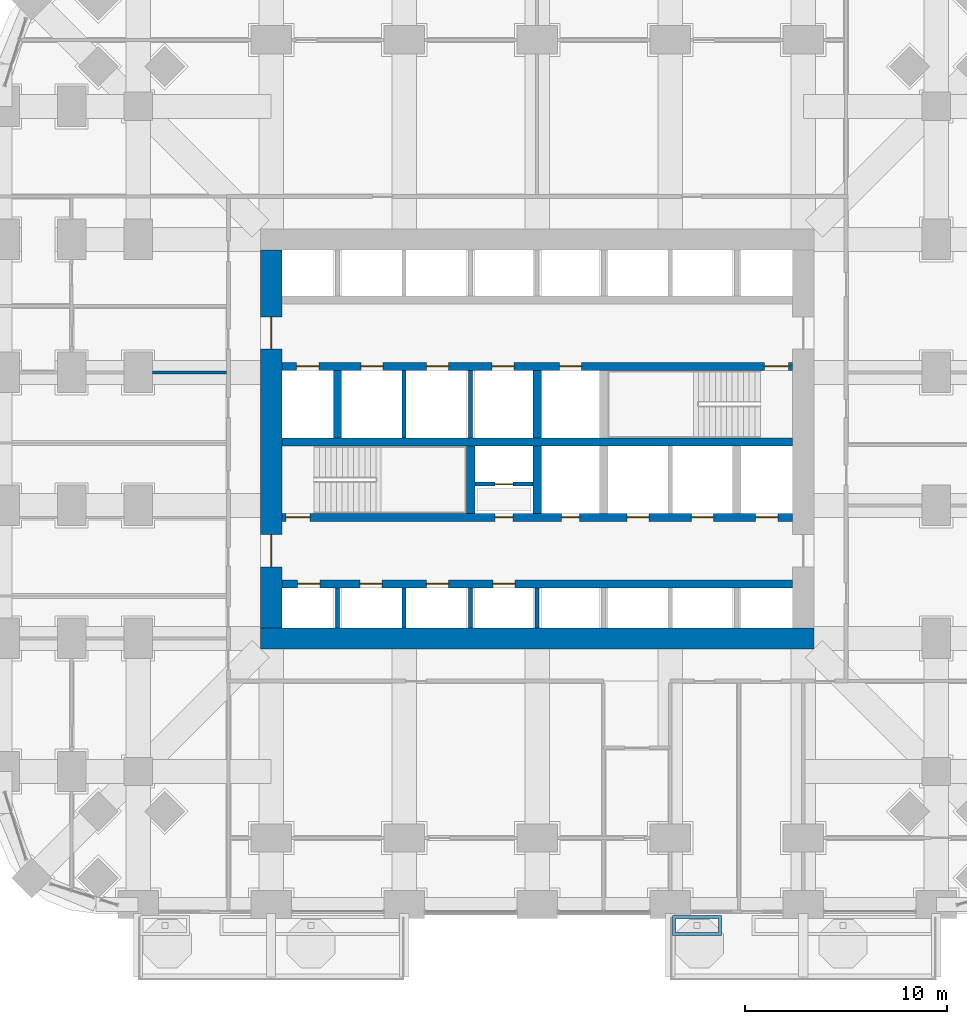
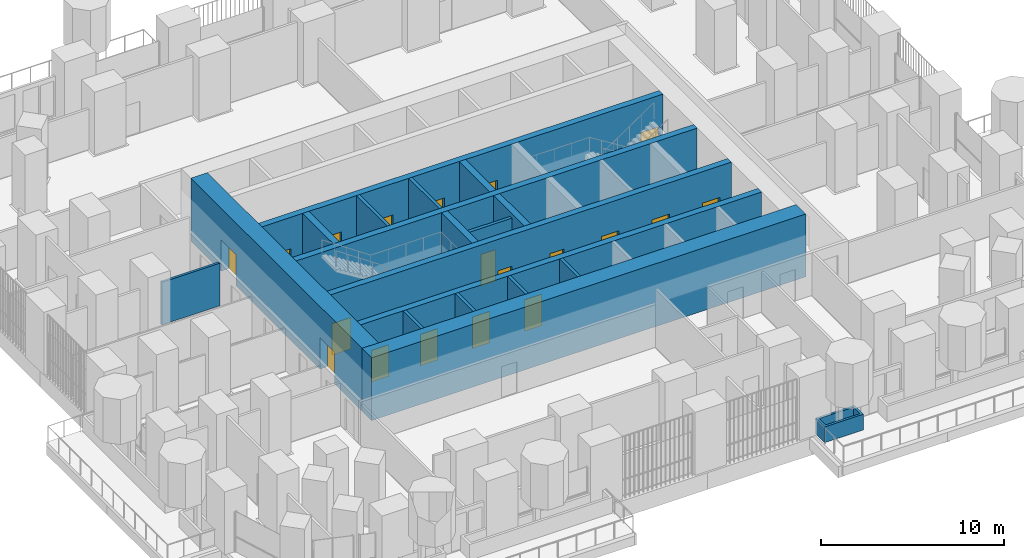
# One storey, part 17 of 25: 19 doors, 19 walls, 19 openings.
"""IFC4 building model written with IfcOpenShell, lengths in metres."""

from ifc_helpers import new_model, si_unit, direction, frame, frame_2d, origin, place, context, subcontext, project, spatial, polyline, rectangle, outline, extrude, material, layer, layer_set, type_object, element, fill, save


model = new_model("IFC4")

# Units and contexts
model_context = context("Model", 3, precision=1e-05, world=origin(), true_north=direction((0.0, 1.0)))
body_context = subcontext(model_context, "Body", "Model", "MODEL_VIEW")
ifc_project = project(units=[si_unit("LENGTHUNIT", "METRE"), si_unit("AREAUNIT", "SQUARE_METRE"), si_unit("VOLUMEUNIT", "CUBIC_METRE"), si_unit("PLANEANGLEUNIT", "RADIAN"), si_unit("MASSUNIT", "GRAM", prefix="KILO")], contexts=[model_context])

# Site, building, storey
site_placement = place(None, origin())
site = spatial("IfcSite", under=ifc_project, at=site_placement, CompositionType="ELEMENT")
building_placement = place(site_placement, origin())
building = spatial("IfcBuilding", under=site, at=building_placement, Name="Cobogo Forest Laboratory Tower", CompositionType="ELEMENT")
storey_placement = place(building_placement, frame((0.0, 0.0, 21.300048828125)))
storey = spatial("IfcBuildingStorey", under=building, at=storey_placement, Name="L04", CompositionType="ELEMENT", Elevation=21.300048828125)

# Wall, openings, doors
ifc_material_1 = material(Name="Concrete HA-50 (C50/60)", Category="concrete")
ifc_layer_1 = layer(ifc_material_1, 0.39990234375)
ifc_layer_set_1 = layer_set([ifc_layer_1], Name="CI400 core inner wall 400")
wall_type_1 = type_object("IfcWallType", Name="CI400 core inner wall 400", PredefinedType="SHEAR", material=ifc_layer_set_1)
wall_1_placement = place(storey_placement, frame((13.72509765625, 15.89990234375, 0.0), z_axis=(0.0, 0.0, 1.0), x_axis=(1.0, 0.0, 0.0)))
wall_1 = element("IfcWall", 1, at=wall_1_placement, inside=storey, type_object=wall_type_1, Name="Core wall CI-15.9 L04", PredefinedType="SHEAR", context=body_context, shape_type="SweptSolid", body=[
    extrude(rectangle(XDim=25.349853515625, YDim=0.39990234375, at=frame_2d((12.6748046875, 0.0))), origin(), (0.0, 0.0, 1.0), 4.199951171875),
])
opening_1_placement = place(wall_1_placement, frame((0.78759765625, 0.0, 0.0)))
opening_1 = element("IfcOpeningElement", 2, at=opening_1_placement, cuts=wall_1, Name="Opening L04-LD-LA1", PredefinedType="OPENING", context=body_context, shape_type="SweptSolid", body=[
    extrude(rectangle(XDim=1.10009765625, YDim=2.10009765625, at=frame_2d((0.550048828125, 1.050048828125))), frame((0.0, 0.2099609375, 0.0), z_axis=(0.0, -1.0, 0.0), x_axis=(1.0, 0.0, 0.0)), (0.0, 0.0, 1.0), 0.419921875),
])
opening_2_placement = place(wall_1_placement, frame((3.875, 0.0, 0.0)))
opening_2 = element("IfcOpeningElement", 3, at=opening_2_placement, cuts=wall_1, Name="Opening L04-LD-LA2", PredefinedType="OPENING", context=body_context, shape_type="SweptSolid", body=[
    extrude(rectangle(XDim=1.10009765625, YDim=2.10009765625, at=frame_2d((0.550048828125, 1.050048828125))), frame((0.0, 0.2099609375, 0.0), z_axis=(0.0, -1.0, 0.0), x_axis=(1.0, 0.0, 0.0)), (0.0, 0.0, 1.0), 0.419921875),
])
opening_3_placement = place(wall_1_placement, frame((7.175048828125, 0.0, 0.0)))
opening_3 = element("IfcOpeningElement", 4, at=opening_3_placement, cuts=wall_1, Name="Opening L04-LD-LA3", PredefinedType="OPENING", context=body_context, shape_type="SweptSolid", body=[
    extrude(rectangle(XDim=1.10009765625, YDim=2.10009765625, at=frame_2d((0.550048828125, 1.050048828125))), frame((0.0, 0.2099609375, 0.0), z_axis=(0.0, -1.0, 0.0), x_axis=(1.0, 0.0, 0.0)), (0.0, 0.0, 1.0), 0.419921875),
])
opening_4_placement = place(wall_1_placement, frame((10.47509765625, 0.0, 0.0)))
opening_4 = element("IfcOpeningElement", 5, at=opening_4_placement, cuts=wall_1, Name="Opening L04-LD-LA4", PredefinedType="OPENING", context=body_context, shape_type="SweptSolid", body=[
    extrude(rectangle(XDim=1.10009765625, YDim=2.10009765625, at=frame_2d((0.550048828125, 1.050048828125))), frame((0.0, 0.2099609375, 0.0), z_axis=(0.0, -1.0, 0.0), x_axis=(1.0, 0.0, 0.0)), (0.0, 0.0, 1.0), 0.419921875),
])
ifc_material_2 = material(Name="Stainless steel lift door", Category="steel")
door_type_1 = type_object("IfcDoorType", Name="LD lift landing door 1100", OperationType="DOUBLE_DOOR_SLIDING", PredefinedType="DOOR", material=ifc_material_2)
door_1_placement = place(opening_1_placement, origin())
door_1 = element("IfcDoor", 6, at=door_1_placement, inside=storey, type_object=door_type_1, Name="Lift landing door LA1 L04", OperationType="DOUBLE_DOOR_SLIDING", OverallHeight=2.10009765625, OverallWidth=1.10009765625, PredefinedType="DOOR", context=body_context, shape_type="SweptSolid", body=[
    extrude(rectangle(XDim=1.10009765625, YDim=2.10009765625, at=frame_2d((0.550048828125, 1.050048828125))), frame((0.0, 0.02490234375, 0.0), z_axis=(0.0, -1.0, 0.0), x_axis=(1.0, 0.0, 0.0)), (0.0, 0.0, 1.0), 0.050048828125),
])
fill(opening_1, door_1)
door_2_placement = place(opening_2_placement, origin())
door_2 = element("IfcDoor", 7, at=door_2_placement, inside=storey, type_object=door_type_1, Name="Lift landing door LA2 L04", OperationType="DOUBLE_DOOR_SLIDING", OverallHeight=2.10009765625, OverallWidth=1.10009765625, PredefinedType="DOOR", context=body_context, shape_type="SweptSolid", body=[
    extrude(rectangle(XDim=1.10009765625, YDim=2.10009765625, at=frame_2d((0.550048828125, 1.050048828125))), frame((0.0, 0.02490234375, 0.0), z_axis=(0.0, -1.0, 0.0), x_axis=(1.0, 0.0, 0.0)), (0.0, 0.0, 1.0), 0.050048828125),
])
fill(opening_2, door_2)
door_3_placement = place(opening_3_placement, origin())
door_3 = element("IfcDoor", 8, at=door_3_placement, inside=storey, type_object=door_type_1, Name="Lift landing door LA3 L04", OperationType="DOUBLE_DOOR_SLIDING", OverallHeight=2.10009765625, OverallWidth=1.10009765625, PredefinedType="DOOR", context=body_context, shape_type="SweptSolid", body=[
    extrude(rectangle(XDim=1.10009765625, YDim=2.10009765625, at=frame_2d((0.550048828125, 1.050048828125))), frame((0.0, 0.02490234375, 0.0), z_axis=(0.0, -1.0, 0.0), x_axis=(1.0, 0.0, 0.0)), (0.0, 0.0, 1.0), 0.050048828125),
])
fill(opening_3, door_3)
door_4_placement = place(opening_4_placement, origin())
door_4 = element("IfcDoor", 9, at=door_4_placement, inside=storey, type_object=door_type_1, Name="Lift landing door LA4 L04", OperationType="DOUBLE_DOOR_SLIDING", OverallHeight=2.10009765625, OverallWidth=1.10009765625, PredefinedType="DOOR", context=body_context, shape_type="SweptSolid", body=[
    extrude(rectangle(XDim=1.10009765625, YDim=2.10009765625, at=frame_2d((0.550048828125, 1.050048828125))), frame((0.0, 0.02490234375, 0.0), z_axis=(0.0, -1.0, 0.0), x_axis=(1.0, 0.0, 0.0)), (0.0, 0.0, 1.0), 0.050048828125),
])
fill(opening_4, door_4)

wall_2_placement = place(storey_placement, frame((13.72509765625, 19.199951171875, 0.0), z_axis=(0.0, 0.0, 1.0), x_axis=(1.0, 0.0, 0.0)))
wall_2 = element("IfcWall", 10, at=wall_2_placement, inside=storey, type_object=wall_type_1, Name="Core wall CI-19.2 L04", PredefinedType="SHEAR", context=body_context, shape_type="SweptSolid", body=[
    extrude(rectangle(XDim=25.349853515625, YDim=0.39990234375, at=frame_2d((12.6748046875, 0.0))), origin(), (0.0, 0.0, 1.0), 4.199951171875),
])
opening_5_placement = place(wall_2_placement, frame((10.574951171875, 0.0, 0.0)))
opening_5 = element("IfcOpeningElement", 11, at=opening_5_placement, cuts=wall_2, Name="Opening L04-D22", PredefinedType="OPENING", context=body_context, shape_type="SweptSolid", body=[
    extrude(rectangle(XDim=0.89990234375, YDim=2.10009765625, at=frame_2d((0.449951171875, 1.050048828125))), frame((0.0, 0.2099609375, 0.0), z_axis=(0.0, -1.0, 0.0), x_axis=(1.0, 0.0, 0.0)), (0.0, 0.0, 1.0), 0.419921875),
])
opening_6_placement = place(wall_2_placement, frame((13.875, 0.0, 0.0)))
opening_6 = element("IfcOpeningElement", 12, at=opening_6_placement, cuts=wall_2, Name="Opening L04-D23", PredefinedType="OPENING", context=body_context, shape_type="SweptSolid", body=[
    extrude(rectangle(XDim=0.89990234375, YDim=2.10009765625, at=frame_2d((0.449951171875, 1.050048828125))), frame((0.0, 0.2099609375, 0.0), z_axis=(0.0, -1.0, 0.0), x_axis=(1.0, 0.0, 0.0)), (0.0, 0.0, 1.0), 0.419921875),
])
opening_7_placement = place(wall_2_placement, frame((0.199951171875, 0.0, 0.0)))
opening_7 = element("IfcOpeningElement", 13, at=opening_7_placement, cuts=wall_2, Name="Opening L04-D21", PredefinedType="OPENING", context=body_context, shape_type="SweptSolid", body=[
    extrude(rectangle(XDim=1.199951171875, YDim=2.10009765625, at=frame_2d((0.60009765625, 1.050048828125))), frame((0.0, 0.2099609375, 0.0), z_axis=(0.0, -1.0, 0.0), x_axis=(1.0, 0.0, 0.0)), (0.0, 0.0, 1.0), 0.419921875),
])
opening_8_placement = place(wall_2_placement, frame((23.512451171875, 0.0, 0.0)))
opening_8 = element("IfcOpeningElement", 14, at=opening_8_placement, cuts=wall_2, Name="Opening L04-LD-FL2", PredefinedType="OPENING", context=body_context, shape_type="SweptSolid", body=[
    extrude(rectangle(XDim=1.10009765625, YDim=2.10009765625, at=frame_2d((0.550048828125, 1.050048828125))), frame((0.0, 0.2099609375, 0.0), z_axis=(0.0, -1.0, 0.0), x_axis=(1.0, 0.0, 0.0)), (0.0, 0.0, 1.0), 0.419921875),
])
opening_9_placement = place(wall_2_placement, frame((17.125, 0.0, 0.0)))
opening_9 = element("IfcOpeningElement", 15, at=opening_9_placement, cuts=wall_2, Name="Opening L04-LD-LS1", PredefinedType="OPENING", context=body_context, shape_type="SweptSolid", body=[
    extrude(rectangle(XDim=1.10009765625, YDim=2.10009765625, at=frame_2d((0.550048828125, 1.050048828125))), frame((0.0, 0.2099609375, 0.0), z_axis=(0.0, -1.0, 0.0), x_axis=(1.0, 0.0, 0.0)), (0.0, 0.0, 1.0), 0.419921875),
])
opening_10_placement = place(wall_2_placement, frame((20.324951171875, 0.0, 0.0)))
opening_10 = element("IfcOpeningElement", 16, at=opening_10_placement, cuts=wall_2, Name="Opening L04-LD-LS2", PredefinedType="OPENING", context=body_context, shape_type="SweptSolid", body=[
    extrude(rectangle(XDim=1.10009765625, YDim=2.10009765625, at=frame_2d((0.550048828125, 1.050048828125))), frame((0.0, 0.2099609375, 0.0), z_axis=(0.0, -1.0, 0.0), x_axis=(1.0, 0.0, 0.0)), (0.0, 0.0, 1.0), 0.419921875),
])
ifc_material_3 = material(Name="Steel fire door", Category="steel")
door_type_2 = type_object("IfcDoorType", Name="DS1 protected stair door 1200 EI2 60", OperationType="SINGLE_SWING_LEFT", PredefinedType="DOOR", material=ifc_material_3)
door_5_placement = place(opening_7_placement, origin())
door_5 = element("IfcDoor", 17, at=door_5_placement, inside=storey, type_object=door_type_2, Name="Door L04-ST1", OperationType="SINGLE_SWING_LEFT", OverallHeight=2.10009765625, OverallWidth=1.199951171875, PredefinedType="DOOR", context=body_context, shape_type="SweptSolid", body=[
    extrude(rectangle(XDim=1.199951171875, YDim=2.10009765625, at=frame_2d((0.60009765625, 1.050048828125))), frame((0.0, 0.02490234375, 0.0), z_axis=(0.0, -1.0, 0.0), x_axis=(1.0, 0.0, 0.0)), (0.0, 0.0, 1.0), 0.050048828125),
])
fill(opening_7, door_5)
door_type_3 = type_object("IfcDoorType", Name="FD4 riser access door 900 EI2 60", OperationType="SINGLE_SWING_LEFT", PredefinedType="DOOR", material=ifc_material_3)
door_6_placement = place(opening_5_placement, origin())
door_6 = element("IfcDoor", 18, at=door_6_placement, inside=storey, type_object=door_type_3, Name="Door L04-R1V", OperationType="SINGLE_SWING_LEFT", OverallHeight=2.10009765625, OverallWidth=0.89990234375, PredefinedType="DOOR", context=body_context, shape_type="SweptSolid", body=[
    extrude(rectangle(XDim=0.89990234375, YDim=2.10009765625, at=frame_2d((0.449951171875, 1.050048828125))), frame((0.0, 0.02490234375, 0.0), z_axis=(0.0, -1.0, 0.0), x_axis=(1.0, 0.0, 0.0)), (0.0, 0.0, 1.0), 0.050048828125),
])
fill(opening_5, door_6)
door_7_placement = place(opening_6_placement, origin())
door_7 = element("IfcDoor", 19, at=door_7_placement, inside=storey, type_object=door_type_3, Name="Door L04-R2", OperationType="SINGLE_SWING_RIGHT", OverallHeight=2.10009765625, OverallWidth=0.89990234375, PredefinedType="DOOR", context=body_context, shape_type="SweptSolid", body=[
    extrude(rectangle(XDim=0.89990234375, YDim=2.10009765625, at=frame_2d((0.449951171875, 1.050048828125))), frame((0.0, 0.02490234375, 0.0), z_axis=(0.0, -1.0, 0.0), x_axis=(1.0, 0.0, 0.0)), (0.0, 0.0, 1.0), 0.050048828125),
])
fill(opening_6, door_7)
door_8_placement = place(opening_8_placement, origin())
door_8 = element("IfcDoor", 20, at=door_8_placement, inside=storey, type_object=door_type_1, Name="Lift landing door FL2 L04", OperationType="DOUBLE_DOOR_SLIDING", OverallHeight=2.10009765625, OverallWidth=1.10009765625, PredefinedType="DOOR", context=body_context, shape_type="SweptSolid", body=[
    extrude(rectangle(XDim=1.10009765625, YDim=2.10009765625, at=frame_2d((0.550048828125, 1.050048828125))), frame((0.0, 0.02490234375, 0.0), z_axis=(0.0, -1.0, 0.0), x_axis=(1.0, 0.0, 0.0)), (0.0, 0.0, 1.0), 0.050048828125),
])
fill(opening_8, door_8)
door_9_placement = place(opening_9_placement, origin())
door_9 = element("IfcDoor", 21, at=door_9_placement, inside=storey, type_object=door_type_1, Name="Lift landing door LS1 L04", OperationType="DOUBLE_DOOR_SLIDING", OverallHeight=2.10009765625, OverallWidth=1.10009765625, PredefinedType="DOOR", context=body_context, shape_type="SweptSolid", body=[
    extrude(rectangle(XDim=1.10009765625, YDim=2.10009765625, at=frame_2d((0.550048828125, 1.050048828125))), frame((0.0, 0.02490234375, 0.0), z_axis=(0.0, -1.0, 0.0), x_axis=(1.0, 0.0, 0.0)), (0.0, 0.0, 1.0), 0.050048828125),
])
fill(opening_9, door_9)
door_10_placement = place(opening_10_placement, origin())
door_10 = element("IfcDoor", 22, at=door_10_placement, inside=storey, type_object=door_type_1, Name="Lift landing door LS2 L04", OperationType="DOUBLE_DOOR_SLIDING", OverallHeight=2.10009765625, OverallWidth=1.10009765625, PredefinedType="DOOR", context=body_context, shape_type="SweptSolid", body=[
    extrude(rectangle(XDim=1.10009765625, YDim=2.10009765625, at=frame_2d((0.550048828125, 1.050048828125))), frame((0.0, 0.02490234375, 0.0), z_axis=(0.0, -1.0, 0.0), x_axis=(1.0, 0.0, 0.0)), (0.0, 0.0, 1.0), 0.050048828125),
])
fill(opening_10, door_10)

# Wall
wall_3_placement = place(storey_placement, frame((13.72509765625, 22.949951171875, 0.0), z_axis=(0.0, 0.0, 1.0), x_axis=(1.0, 0.0, 0.0)))
element("IfcWall", 23, at=wall_3_placement, inside=storey, type_object=wall_type_1, Name="Core wall CI-22.95 L04", PredefinedType="SHEAR", context=body_context, shape_type="SweptSolid", body=[
    extrude(rectangle(XDim=25.349853515625, YDim=0.39990234375, at=frame_2d((12.6748046875, 0.0))), origin(), (0.0, 0.0, 1.0), 4.199951171875),
])

# Wall, openings, doors
wall_4_placement = place(storey_placement, frame((13.72509765625, 26.699951171875, 0.0), z_axis=(0.0, 0.0, 1.0), x_axis=(1.0, 0.0, 0.0)))
wall_4 = element("IfcWall", 24, at=wall_4_placement, inside=storey, type_object=wall_type_1, Name="Core wall CI-26.7 L04", PredefinedType="SHEAR", context=body_context, shape_type="SweptSolid", body=[
    extrude(rectangle(XDim=25.349853515625, YDim=0.39990234375, at=frame_2d((12.6748046875, 0.0))), origin(), (0.0, 0.0, 1.0), 4.199951171875),
])
opening_11_placement = place(wall_4_placement, frame((23.949951171875, 0.0, 0.0)))
opening_11 = element("IfcOpeningElement", 25, at=opening_11_placement, cuts=wall_4, Name="Opening L04-D29", PredefinedType="OPENING", context=body_context, shape_type="SweptSolid", body=[
    extrude(rectangle(XDim=1.199951171875, YDim=2.10009765625, at=frame_2d((0.60009765625, 1.050048828125))), frame((0.0, 0.2099609375, 0.0), z_axis=(0.0, -1.0, 0.0), x_axis=(1.0, 0.0, 0.0)), (0.0, 0.0, 1.0), 0.419921875),
])
opening_12_placement = place(wall_4_placement, frame((0.737548828125, 0.0, 0.0)))
opening_12 = element("IfcOpeningElement", 26, at=opening_12_placement, cuts=wall_4, Name="Opening L04-LD-FL1", PredefinedType="OPENING", context=body_context, shape_type="SweptSolid", body=[
    extrude(rectangle(XDim=1.10009765625, YDim=2.10009765625, at=frame_2d((0.550048828125, 1.050048828125))), frame((0.0, 0.2099609375, 0.0), z_axis=(0.0, -1.0, 0.0), x_axis=(1.0, 0.0, 0.0)), (0.0, 0.0, 1.0), 0.419921875),
])
opening_13_placement = place(wall_4_placement, frame((3.925048828125, 0.0, 0.0)))
opening_13 = element("IfcOpeningElement", 27, at=opening_13_placement, cuts=wall_4, Name="Opening L04-LD-LS3", PredefinedType="OPENING", context=body_context, shape_type="SweptSolid", body=[
    extrude(rectangle(XDim=1.10009765625, YDim=2.10009765625, at=frame_2d((0.550048828125, 1.050048828125))), frame((0.0, 0.2099609375, 0.0), z_axis=(0.0, -1.0, 0.0), x_axis=(1.0, 0.0, 0.0)), (0.0, 0.0, 1.0), 0.419921875),
])
opening_14_placement = place(wall_4_placement, frame((7.175048828125, 0.0, 0.0)))
opening_14 = element("IfcOpeningElement", 28, at=opening_14_placement, cuts=wall_4, Name="Opening L04-LD-LS4", PredefinedType="OPENING", context=body_context, shape_type="SweptSolid", body=[
    extrude(rectangle(XDim=1.10009765625, YDim=2.10009765625, at=frame_2d((0.550048828125, 1.050048828125))), frame((0.0, 0.2099609375, 0.0), z_axis=(0.0, -1.0, 0.0), x_axis=(1.0, 0.0, 0.0)), (0.0, 0.0, 1.0), 0.419921875),
])
opening_15_placement = place(wall_4_placement, frame((10.425048828125, 0.0, 0.0)))
opening_15 = element("IfcOpeningElement", 29, at=opening_15_placement, cuts=wall_4, Name="Opening L04-LD-LS5", PredefinedType="OPENING", context=body_context, shape_type="SweptSolid", body=[
    extrude(rectangle(XDim=1.10009765625, YDim=2.10009765625, at=frame_2d((0.550048828125, 1.050048828125))), frame((0.0, 0.2099609375, 0.0), z_axis=(0.0, -1.0, 0.0), x_axis=(1.0, 0.0, 0.0)), (0.0, 0.0, 1.0), 0.419921875),
])
opening_16_placement = place(wall_4_placement, frame((13.77490234375, 0.0, 0.0)))
opening_16 = element("IfcOpeningElement", 30, at=opening_16_placement, cuts=wall_4, Name="Opening L04-LD-LS6", PredefinedType="OPENING", context=body_context, shape_type="SweptSolid", body=[
    extrude(rectangle(XDim=1.10009765625, YDim=2.10009765625, at=frame_2d((0.550048828125, 1.050048828125))), frame((0.0, 0.2099609375, 0.0), z_axis=(0.0, -1.0, 0.0), x_axis=(1.0, 0.0, 0.0)), (0.0, 0.0, 1.0), 0.419921875),
])
door_11_placement = place(opening_11_placement, origin())
door_11 = element("IfcDoor", 31, at=door_11_placement, inside=storey, type_object=door_type_2, Name="Door L04-ST2", OperationType="SINGLE_SWING_RIGHT", OverallHeight=2.10009765625, OverallWidth=1.199951171875, PredefinedType="DOOR", context=body_context, shape_type="SweptSolid", body=[
    extrude(rectangle(XDim=1.199951171875, YDim=2.10009765625, at=frame_2d((0.60009765625, 1.050048828125))), frame((0.0, 0.02490234375, 0.0), z_axis=(0.0, -1.0, 0.0), x_axis=(1.0, 0.0, 0.0)), (0.0, 0.0, 1.0), 0.050048828125),
])
fill(opening_11, door_11)
door_12_placement = place(opening_12_placement, origin())
door_12 = element("IfcDoor", 32, at=door_12_placement, inside=storey, type_object=door_type_1, Name="Lift landing door FL1 L04", OperationType="DOUBLE_DOOR_SLIDING", OverallHeight=2.10009765625, OverallWidth=1.10009765625, PredefinedType="DOOR", context=body_context, shape_type="SweptSolid", body=[
    extrude(rectangle(XDim=1.10009765625, YDim=2.10009765625, at=frame_2d((0.550048828125, 1.050048828125))), frame((0.0, 0.02490234375, 0.0), z_axis=(0.0, -1.0, 0.0), x_axis=(1.0, 0.0, 0.0)), (0.0, 0.0, 1.0), 0.050048828125),
])
fill(opening_12, door_12)
door_13_placement = place(opening_13_placement, origin())
door_13 = element("IfcDoor", 33, at=door_13_placement, inside=storey, type_object=door_type_1, Name="Lift landing door LS3 L04", OperationType="DOUBLE_DOOR_SLIDING", OverallHeight=2.10009765625, OverallWidth=1.10009765625, PredefinedType="DOOR", context=body_context, shape_type="SweptSolid", body=[
    extrude(rectangle(XDim=1.10009765625, YDim=2.10009765625, at=frame_2d((0.550048828125, 1.050048828125))), frame((0.0, 0.02490234375, 0.0), z_axis=(0.0, -1.0, 0.0), x_axis=(1.0, 0.0, 0.0)), (0.0, 0.0, 1.0), 0.050048828125),
])
fill(opening_13, door_13)
door_14_placement = place(opening_14_placement, origin())
door_14 = element("IfcDoor", 34, at=door_14_placement, inside=storey, type_object=door_type_1, Name="Lift landing door LS4 L04", OperationType="DOUBLE_DOOR_SLIDING", OverallHeight=2.10009765625, OverallWidth=1.10009765625, PredefinedType="DOOR", context=body_context, shape_type="SweptSolid", body=[
    extrude(rectangle(XDim=1.10009765625, YDim=2.10009765625, at=frame_2d((0.550048828125, 1.050048828125))), frame((0.0, 0.02490234375, 0.0), z_axis=(0.0, -1.0, 0.0), x_axis=(1.0, 0.0, 0.0)), (0.0, 0.0, 1.0), 0.050048828125),
])
fill(opening_14, door_14)
door_15_placement = place(opening_15_placement, origin())
door_15 = element("IfcDoor", 35, at=door_15_placement, inside=storey, type_object=door_type_1, Name="Lift landing door LS5 L04", OperationType="DOUBLE_DOOR_SLIDING", OverallHeight=2.10009765625, OverallWidth=1.10009765625, PredefinedType="DOOR", context=body_context, shape_type="SweptSolid", body=[
    extrude(rectangle(XDim=1.10009765625, YDim=2.10009765625, at=frame_2d((0.550048828125, 1.050048828125))), frame((0.0, 0.02490234375, 0.0), z_axis=(0.0, -1.0, 0.0), x_axis=(1.0, 0.0, 0.0)), (0.0, 0.0, 1.0), 0.050048828125),
])
fill(opening_15, door_15)
door_16_placement = place(opening_16_placement, origin())
door_16 = element("IfcDoor", 36, at=door_16_placement, inside=storey, type_object=door_type_1, Name="Lift landing door LS6 L04", OperationType="DOUBLE_DOOR_SLIDING", OverallHeight=2.10009765625, OverallWidth=1.10009765625, PredefinedType="DOOR", context=body_context, shape_type="SweptSolid", body=[
    extrude(rectangle(XDim=1.10009765625, YDim=2.10009765625, at=frame_2d((0.550048828125, 1.050048828125))), frame((0.0, 0.02490234375, 0.0), z_axis=(0.0, -1.0, 0.0), x_axis=(1.0, 0.0, 0.0)), (0.0, 0.0, 1.0), 0.050048828125),
])
fill(opening_16, door_16)

# Walls
for number, where, z_axis, x_axis, name in (
    (37, (23.10009765625, 19.39990234375, 0.0), (0.0, 0.0, 1.0), (0.0, 1.0, 0.0), "Core wall CX-23.1 L04"),
    (38, (26.39990234375, 19.39990234375, 0.0), (0.0, 0.0, 1.0), (0.0, 1.0, 0.0), "Core wall CX-26.4S L04"),
    (39, (16.5, 23.14990234375, 0.0), (0.0, 0.0, 1.0), (0.0, 1.0, 0.0), "Core wall CX-16.5 L04"),
    (40, (26.39990234375, 23.14990234375, 0.0), (0.0, 0.0, 1.0), (0.0, 1.0, 0.0), "Core wall CX-26.4N L04"),
):
    element("IfcWall", number, at=place(storey_placement, frame(where, z_axis=z_axis, x_axis=x_axis)), inside=storey, type_object=wall_type_1, Name=name, PredefinedType="SHEAR", context=body_context, shape_type="SweptSolid", body=[
        extrude(rectangle(XDim=3.35009765625, YDim=0.39990234375, at=frame_2d((1.675048828125, 0.0))), origin(), (0.0, 0.0, 1.0), 4.199951171875),
    ])
ifc_layer_2 = layer(ifc_material_1, 1.050048828125)
ifc_layer_set_2 = layer_set([ifc_layer_2], Name="CW1050 core outer wall 1050")
wall_type_2 = type_object("IfcWallType", Name="CW1050 core outer wall 1050", PredefinedType="SHEAR", material=ifc_layer_set_2)
wall_5_placement = place(storey_placement, frame((12.675048828125, 13.199951171875, 0.0), z_axis=(0.0, 0.0, 1.0), x_axis=(1.0, 0.0, 0.0)))
element("IfcWall", 41, at=wall_5_placement, inside=storey, type_object=wall_type_2, Name="Core wall CO-S L04", PredefinedType="SHEAR", context=body_context, shape_type="SweptSolid", body=[
    extrude(rectangle(XDim=27.449951171875, YDim=1.050048828125, at=frame_2d((13.72509765625, 0.0))), origin(), (0.0, 0.0, 1.0), 4.199951171875),
])

# Wall, openings, doors
wall_6_placement = place(storey_placement, frame((13.199951171875, 32.47509765625, 0.0), z_axis=(0.0, 0.0, 1.0), x_axis=(0.0, -1.0, 0.0)))
wall_6 = element("IfcWall", 42, at=wall_6_placement, inside=storey, type_object=wall_type_2, Name="Core wall CO-W L04", PredefinedType="SHEAR", context=body_context, shape_type="SweptSolid", body=[
    extrude(rectangle(XDim=18.75, YDim=1.050048828125, at=frame_2d((9.375, 0.0))), origin(), (0.0, 0.0, 1.0), 4.199951171875),
])
opening_17_placement = place(wall_6_placement, frame((14.125, 0.0, 0.0)))
opening_17 = element("IfcOpeningElement", 43, at=opening_17_placement, cuts=wall_6, Name="Opening L04-D19", PredefinedType="OPENING", context=body_context, shape_type="SweptSolid", body=[
    extrude(rectangle(XDim=1.60009765625, YDim=2.10009765625, at=frame_2d((0.800048828125, 1.050048828125))), frame((0.0, 0.534912109375, 0.0), z_axis=(0.0, -1.0, 0.0), x_axis=(1.0, 0.0, 0.0)), (0.0, 0.0, 1.0), 1.070068359375),
])
opening_18_placement = place(wall_6_placement, frame((3.324951171875, 0.0, 0.0)))
opening_18 = element("IfcOpeningElement", 44, at=opening_18_placement, cuts=wall_6, Name="Opening L04-D32", PredefinedType="OPENING", context=body_context, shape_type="SweptSolid", body=[
    extrude(rectangle(XDim=1.60009765625, YDim=2.10009765625, at=frame_2d((0.800048828125, 1.050048828125))), frame((0.0, 0.534912109375, 0.0), z_axis=(0.0, -1.0, 0.0), x_axis=(1.0, 0.0, 0.0)), (0.0, 0.0, 1.0), 1.070068359375),
])
door_type_4 = type_object("IfcDoorType", Name="DS2 protected lobby door pair 1600 EI2 60", OperationType="DOUBLE_DOOR_DOUBLE_SWING", PredefinedType="DOOR", material=ifc_material_3)
door_17_placement = place(opening_17_placement, origin())
door_17 = element("IfcDoor", 45, at=door_17_placement, inside=storey, type_object=door_type_4, Name="Door L04-CO-W-S", OperationType="DOUBLE_DOOR_DOUBLE_SWING", OverallHeight=2.10009765625, OverallWidth=1.60009765625, PredefinedType="DOOR", context=body_context, shape_type="SweptSolid", body=[
    extrude(rectangle(XDim=1.60009765625, YDim=2.10009765625, at=frame_2d((0.800048828125, 1.050048828125))), frame((0.0, 0.02490234375, 0.0), z_axis=(0.0, -1.0, 0.0), x_axis=(1.0, 0.0, 0.0)), (0.0, 0.0, 1.0), 0.050048828125),
])
fill(opening_17, door_17)
door_18_placement = place(opening_18_placement, origin())
door_18 = element("IfcDoor", 46, at=door_18_placement, inside=storey, type_object=door_type_4, Name="Door L04-CO-W-N", OperationType="DOUBLE_DOOR_DOUBLE_SWING", OverallHeight=2.10009765625, OverallWidth=1.60009765625, PredefinedType="DOOR", context=body_context, shape_type="SweptSolid", body=[
    extrude(rectangle(XDim=1.60009765625, YDim=2.10009765625, at=frame_2d((0.800048828125, 1.050048828125))), frame((0.0, 0.02490234375, 0.0), z_axis=(0.0, -1.0, 0.0), x_axis=(1.0, 0.0, 0.0)), (0.0, 0.0, 1.0), 0.050048828125),
])
fill(opening_18, door_18)

# Wall
ifc_material_4 = material(Name="Gypsum board on steel studs", Category="steel")
ifc_layer_3 = layer(ifc_material_4, 0.14990234375)
ifc_layer_set_3 = layer_set([ifc_layer_3], Name="PT1 laboratory partition 150")
wall_type_3 = type_object("IfcWallType", Name="PT1 laboratory partition 150", PredefinedType="PARTITIONING", material=ifc_layer_set_3)
wall_7_placement = place(storey_placement, frame((7.300048828125, 26.39990234375, 0.0), z_axis=(0.0, 0.0, 1.0), x_axis=(1.0, 0.0, 0.0)))
element("IfcWall", 47, at=wall_7_placement, inside=storey, type_object=wall_type_3, Name="Partition CUT-W26.4-3 L04", PredefinedType="PARTITIONING", context=body_context, shape_type="SweptSolid", body=[
    extrude(rectangle(XDim=3.675048828125, YDim=0.14990234375, at=frame_2d((1.83740234375, 0.0))), origin(), (0.0, 0.0, 1.0), 2.849853515625),
])

# Wall, opening, door
ifc_layer_4 = layer(ifc_material_4, 0.199951171875)
ifc_layer_set_4 = layer_set([ifc_layer_4], Name="PT2 fire-rated corridor partition 200")
wall_type_4 = type_object("IfcWallType", Name="PT2 fire-rated corridor partition 200", PredefinedType="PARTITIONING", material=ifc_layer_set_4)
wall_8_placement = place(storey_placement, frame((23.300048828125, 20.85009765625, 0.0), z_axis=(0.0, 0.0, 1.0), x_axis=(1.0, 0.0, 0.0)))
wall_8 = element("IfcWall", 48, at=wall_8_placement, inside=storey, type_object=wall_type_4, Name="Partition RSPLIT-R1 L04", PredefinedType="PARTITIONING", context=body_context, shape_type="SweptSolid", body=[
    extrude(rectangle(XDim=2.89990234375, YDim=0.199951171875, at=frame_2d((1.449951171875, 0.0))), origin(), (0.0, 0.0, 1.0), 3.89990234375),
])
opening_19_placement = place(wall_8_placement, frame((1.0, 0.0, 0.0)))
opening_19 = element("IfcOpeningElement", 49, at=opening_19_placement, cuts=wall_8, Name="Opening L04-D24", PredefinedType="OPENING", context=body_context, shape_type="SweptSolid", body=[
    extrude(rectangle(XDim=0.89990234375, YDim=2.10009765625, at=frame_2d((0.449951171875, 1.050048828125))), frame((0.0, 0.10986328125, 0.0), z_axis=(0.0, -1.0, 0.0), x_axis=(1.0, 0.0, 0.0)), (0.0, 0.0, 1.0), 0.219970703125),
])
door_19_placement = place(opening_19_placement, origin())
door_19 = element("IfcDoor", 50, at=door_19_placement, inside=storey, type_object=door_type_3, Name="Door L04-R1", OperationType="SINGLE_SWING_LEFT", OverallHeight=2.10009765625, OverallWidth=0.89990234375, PredefinedType="DOOR", context=body_context, shape_type="SweptSolid", body=[
    extrude(rectangle(XDim=0.89990234375, YDim=2.10009765625, at=frame_2d((0.449951171875, 1.050048828125))), frame((0.0, 0.02490234375, 0.0), z_axis=(0.0, -1.0, 0.0), x_axis=(1.0, 0.0, 0.0)), (0.0, 0.0, 1.0), 0.050048828125),
])
fill(opening_19, door_19)

# Walls
ifc_material_5 = material(Name="Concrete HA-40 (C40/50)", Category="concrete")
ifc_layer_5 = layer(ifc_material_5, 0.14990234375)
ifc_layer_set_5 = layer_set([ifc_layer_5], Name="Planter box 1000x1050")
wall_type_5 = type_object("IfcWallType", Name="Planter box 1000x1050", PredefinedType="USERDEFINED", material=ifc_layer_set_5)
wall_9_placement = place(storey_placement, origin())
element("IfcWall", 51, at=wall_9_placement, inside=storey, type_object=wall_type_5, Name="Planter BAL-S2-1 L04", ObjectType="PLANTER", PredefinedType="USERDEFINED", context=body_context, shape_type="SweptSolid", body=[
    extrude(outline(polyline([(33.10009765625, -1.550048828125), (35.550048828125, -1.550048828125), (35.550048828125, -0.550048828125), (33.10009765625, -0.550048828125), (33.10009765625, -1.550048828125)]), holes=[polyline([(33.25, -1.39990234375), (35.39990234375, -1.39990234375), (35.39990234375, -0.699951171875), (33.25, -0.699951171875), (33.25, -1.39990234375)])]), origin(), (0.0, 0.0, 1.0), 1.050048828125),
])
ifc_material_6 = material(Name="Concrete block", Category="concrete")
ifc_layer_6 = layer(ifc_material_6, 0.199951171875)
ifc_layer_set_6 = layer_set([ifc_layer_6], Name="SW200 lift shaft separator 200")
wall_type_6 = type_object("IfcWallType", Name="SW200 lift shaft separator 200", PredefinedType="PARTITIONING", material=ifc_layer_set_6)
for number, where, z_axis, x_axis, name in (
    (52, (16.5, 13.72509765625, 0.0), (0.0, 0.0, 1.0), (0.0, 1.0, 0.0), "Core wall SEP-S1 L04"),
    (53, (19.800048828125, 13.72509765625, 0.0), (0.0, 0.0, 1.0), (0.0, 1.0, 0.0), "Core wall SEP-S2 L04"),
    (54, (23.10009765625, 13.72509765625, 0.0), (0.0, 0.0, 1.0), (0.0, 1.0, 0.0), "Core wall SEP-S3 L04"),
    (55, (26.39990234375, 13.72509765625, 0.0), (0.0, 0.0, 1.0), (0.0, 1.0, 0.0), "Core wall SEP-S4 L04"),
):
    element("IfcWall", number, at=place(storey_placement, frame(where, z_axis=z_axis, x_axis=x_axis)), inside=storey, type_object=wall_type_6, Name=name, PredefinedType="PARTITIONING", context=body_context, shape_type="SweptSolid", body=[
        extrude(rectangle(XDim=1.974853515625, YDim=0.199951171875, at=frame_2d((0.9873046875, 0.0))), origin(), (0.0, 0.0, 1.0), 4.199951171875),
    ])
for number, where, z_axis, x_axis, name in (
    (56, (19.800048828125, 23.14990234375, 0.0), (0.0, 0.0, 1.0), (0.0, 1.0, 0.0), "Core wall SEP-M19.8 L04"),
    (57, (23.10009765625, 23.14990234375, 0.0), (0.0, 0.0, 1.0), (0.0, 1.0, 0.0), "Core wall SEP-M23.1 L04"),
):
    element("IfcWall", number, at=place(storey_placement, frame(where, z_axis=z_axis, x_axis=x_axis)), inside=storey, type_object=wall_type_6, Name=name, PredefinedType="PARTITIONING", context=body_context, shape_type="SweptSolid", body=[
        extrude(rectangle(XDim=3.35009765625, YDim=0.199951171875, at=frame_2d((1.675048828125, 0.0))), origin(), (0.0, 0.0, 1.0), 4.199951171875),
    ])

save(model, "model.ifc")
